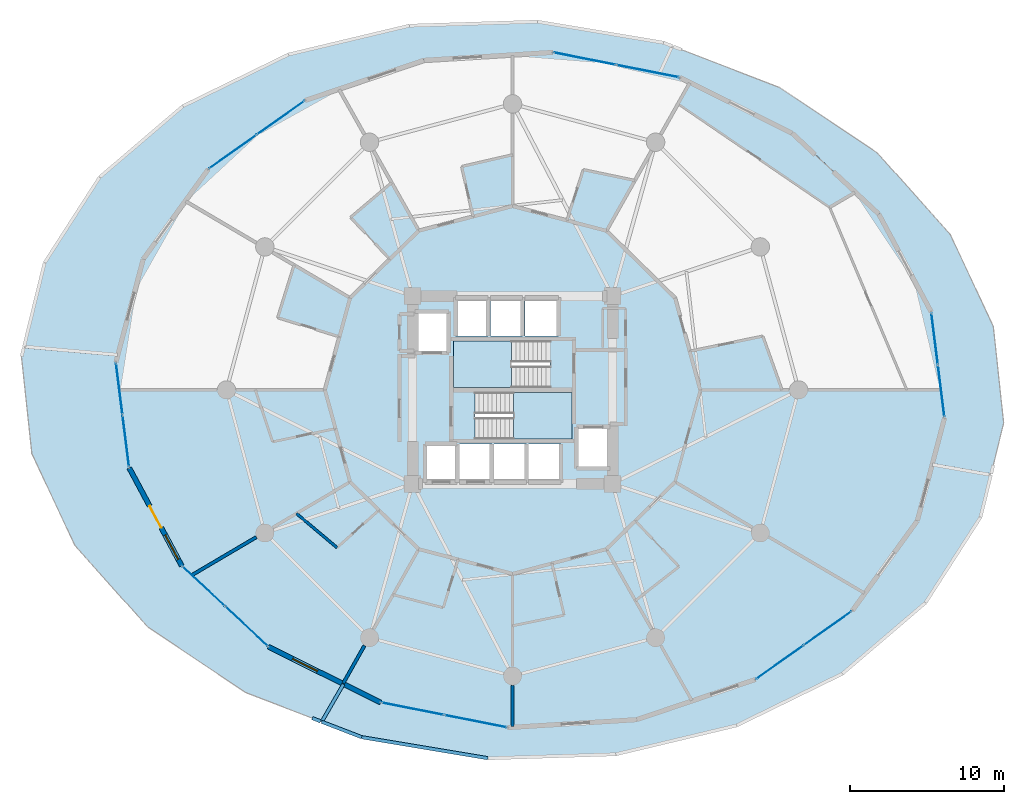
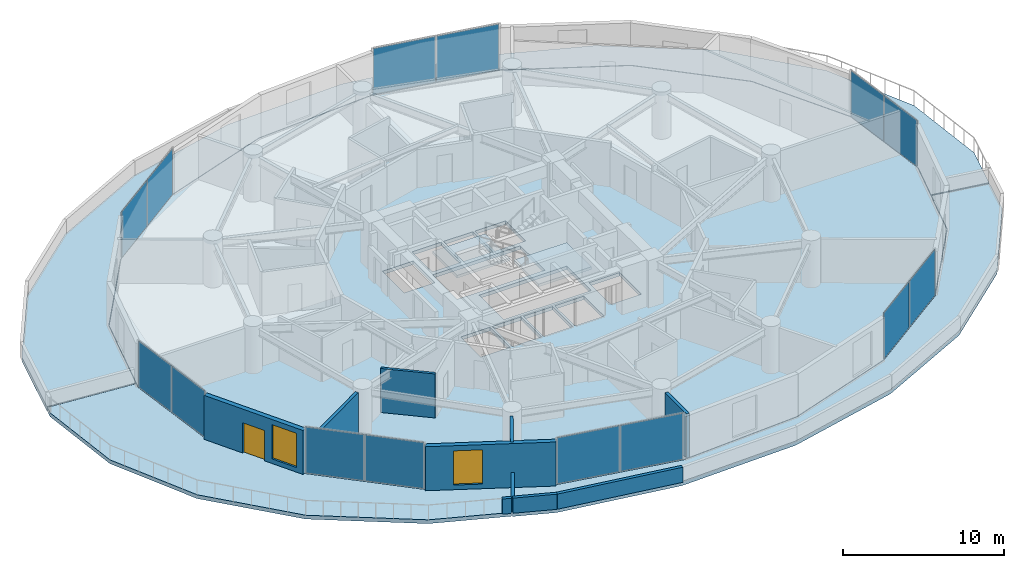
# One storey, part 17 of 25: 14 plates, 10 walls, 7 slabs, 2 windows, 1 door, 3 openings, 9 elements without a shape of their own.
"""IFC4 building model written with IfcOpenShell, lengths in metres."""

import ifcopenshell
import ifcopenshell.guid

model = None  # the IFC model being written
_history = None  # IfcOwnerHistory: only IFC2X3 demands one
_inside = {}  # id of a spatial element -> (the spatial element, [elements in it])
_under = {}  # id of a project, library or spatial element -> (it, [spatial elements below it])
_declared = {}  # id of a project -> (the project, [libraries it declares])
_typed = {}  # id of a type object -> (the type object, [elements of that type])
_made_of = {}  # id of a material, layer set ... -> (it, [elements and type objects made of it])


def new_model(schema):
    """Start an empty IFC model of exactly this schema.

    Asked for "IFC4X3", IfcOpenShell would pick the latest addendum, in which some entities
    have other attributes; the version numbers below select the first issue.
    IFC2X3 requires an IfcOwnerHistory on every rooted entity: one is made here for all.
    """
    global model, _history
    if schema == "IFC4X3":
        model = ifcopenshell.file(schema_version=(4, 3, 0, 0))
    else:
        model = ifcopenshell.file(schema=schema)
    _inside.clear()
    _under.clear()
    _declared.clear()
    _typed.clear()
    _made_of.clear()
    _history = None
    if model.schema == "IFC2X3":
        org = make("IfcOrganization", Name="unknown")
        user = make(
            "IfcPersonAndOrganization",
            ThePerson=make("IfcPerson", FamilyName="unknown"),
            TheOrganization=org,
        )
        app = make(
            "IfcApplication",
            ApplicationDeveloper=org,
            Version="unknown",
            ApplicationFullName="unknown",
            ApplicationIdentifier="unknown",
        )
        _history = make(
            "IfcOwnerHistory",
            OwningUser=user,
            OwningApplication=app,
            ChangeAction="ADDED",
            CreationDate=0,
        )
    return model


def make(cls, **values):
    """One entity of the class cls with the attributes given. An attribute that is None is left unset."""
    return model.create_entity(
        cls, **{name: value for name, value in values.items() if value is not None}
    )


def rooted(cls, **values):
    """An entity with a GlobalId (a new one), such as an element, a storey or a relation."""
    return make(cls, GlobalId=ifcopenshell.guid.new(), OwnerHistory=_history, **values)


def si_unit(unit_type, name, prefix=None):
    """IfcSIUnit, for example si_unit("LENGTHUNIT", "METRE", prefix="MILLI")."""
    return make("IfcSIUnit", UnitType=unit_type, Prefix=prefix, Name=name)


def assignment(units):
    """IfcUnitAssignment: the units of a project."""
    return None if units is None else make("IfcUnitAssignment", Units=units)


def point(xyz):
    """IfcCartesianPoint."""
    return None if xyz is None else make("IfcCartesianPoint", Coordinates=xyz)


def direction(xyz):
    """IfcDirection."""
    return None if xyz is None else make("IfcDirection", DirectionRatios=xyz)


def frame(location, z_axis=None, x_axis=None):
    """IfcAxis2Placement3D, a coordinate frame: its origin and axes. An axis left out is left unset."""
    return make(
        "IfcAxis2Placement3D",
        Location=point(location),
        Axis=direction(z_axis),
        RefDirection=direction(x_axis),
    )


def frame_2d(location, x_axis=None):
    """IfcAxis2Placement2D, a coordinate frame in the plane: its origin and x axis."""
    return make(
        "IfcAxis2Placement2D", Location=point(location), RefDirection=direction(x_axis)
    )


def origin():
    """The frame at (0, 0, 0) with its axes left unset."""
    return frame((0.0, 0.0, 0.0))


def origin_2d():
    """The frame at (0, 0) in the plane with its x axis left unset."""
    return frame_2d((0.0, 0.0))


def place(relative_to, where):
    """IfcLocalPlacement: puts the frame where relative to a parent placement (None: the world)."""
    return make(
        "IfcLocalPlacement", PlacementRelTo=relative_to, RelativePlacement=where
    )


def context(
    kind, dimensions, precision=None, world=None, true_north=None, identifier=None
):
    """IfcGeometricRepresentationContext, for example the 3D "Model" context."""
    return make(
        "IfcGeometricRepresentationContext",
        ContextIdentifier=identifier,
        ContextType=kind,
        CoordinateSpaceDimension=dimensions,
        Precision=precision,
        WorldCoordinateSystem=world,
        TrueNorth=true_north,
    )


def subcontext(parent, identifier, kind, view, scale=None):
    """IfcGeometricRepresentationSubContext, for example "Body" below "Model"."""
    return make(
        "IfcGeometricRepresentationSubContext",
        ContextIdentifier=identifier,
        ContextType=kind,
        ParentContext=parent,
        TargetScale=scale,
        TargetView=view,
    )


def project(units=None, contexts=None):
    """IfcProject with its units and contexts."""
    return rooted(
        "IfcProject",
        Name="project",
        RepresentationContexts=contexts,
        UnitsInContext=assignment(units),
    )


def spatial(cls, under=None, at=None, **own):
    """A site, building, storey or space (cls), placed at a placement, below another one or the project."""
    s = rooted(cls, ObjectPlacement=at, **own)
    if under is not None:
        _under.setdefault(under.id(), (under, []))[1].append(s)
    return s


def polyline(points):
    """IfcPolyline through the points."""
    return make("IfcPolyline", Points=[point(p) for p in points])


def profile(cls, at=None, kind="AREA", **sizes):
    """A parametric profile (cls). Its sizes go by their IFC names, for example OverallWidth=200.0."""
    return make(cls, ProfileType=kind, Position=at, **sizes)


def rectangle(**sizes):
    """IfcRectangleProfileDef."""
    return profile("IfcRectangleProfileDef", **sizes)


def outline(outer, holes=None, kind="AREA"):
    """IfcArbitraryClosedProfileDef: a profile drawn as a closed curve; with holes, ...WithVoids."""
    if holes is None:
        return make("IfcArbitraryClosedProfileDef", ProfileType=kind, OuterCurve=outer)
    return make(
        "IfcArbitraryProfileDefWithVoids",
        ProfileType=kind,
        OuterCurve=outer,
        InnerCurves=holes,
    )


def extrude(swept, where, along, depth):
    """IfcExtrudedAreaSolid: the profile swept, set in the frame where, extruded along a direction by depth."""
    return make(
        "IfcExtrudedAreaSolid",
        SweptArea=swept,
        Position=where,
        ExtrudedDirection=direction(along),
        Depth=depth,
    )


def shape(context_of_items, identifier, shape_type, items):
    """IfcShapeRepresentation: the items that make up one representation, for example the "Body"."""
    return make(
        "IfcShapeRepresentation",
        ContextOfItems=context_of_items,
        RepresentationIdentifier=identifier,
        RepresentationType=shape_type,
        Items=items,
    )


def source(mapping_origin, context_of_items, identifier, shape_type, items):
    """IfcRepresentationMap: a shape defined once, which mapped items show again and again."""
    return make(
        "IfcRepresentationMap",
        MappingOrigin=mapping_origin,
        MappedRepresentation=shape(context_of_items, identifier, shape_type, items),
    )


def transform(
    local_origin,
    x_axis=None,
    y_axis=None,
    z_axis=None,
    scale=None,
    scale2=None,
    scale3=None,
    uniform=True,
):
    """IfcCartesianTransformationOperator3D, or its non-uniform kind. x_axis, y_axis, z_axis: its Axis1, 2, 3."""
    if uniform:
        return make(
            "IfcCartesianTransformationOperator3D",
            Axis1=direction(x_axis),
            Axis2=direction(y_axis),
            LocalOrigin=point(local_origin),
            Scale=scale,
            Axis3=direction(z_axis),
        )
    return make(
        "IfcCartesianTransformationOperator3DnonUniform",
        Axis1=direction(x_axis),
        Axis2=direction(y_axis),
        LocalOrigin=point(local_origin),
        Scale=scale,
        Axis3=direction(z_axis),
        Scale2=scale2,
        Scale3=scale3,
    )


def mapped(mapping_source, mapping_target):
    """IfcMappedItem: shows the shape of a source again, moved by a transform."""
    return make(
        "IfcMappedItem", MappingSource=mapping_source, MappingTarget=mapping_target
    )


def material(Name=None, Category=None):
    """IfcMaterial."""
    return make("IfcMaterial", Name=Name, Category=Category)


def layer(
    of_material, thickness, ventilated=None, Name=None, Category=None, Priority=None
):
    """IfcMaterialLayer: one layer of a wall or slab, of a material (None: an air gap)."""
    return make(
        "IfcMaterialLayer",
        Material=of_material,
        LayerThickness=thickness,
        IsVentilated=ventilated,
        Name=Name,
        Category=Category,
        Priority=Priority,
    )


def layer_set(layers, Name=None):
    """IfcMaterialLayerSet."""
    return make("IfcMaterialLayerSet", MaterialLayers=layers, LayerSetName=Name)


def made_of(thing, what):
    """Note that an element or type object is made of a material, layer set ...; save() writes the relation."""
    if what is not None:
        _made_of.setdefault(what.id(), (what, []))[1].append(thing)
    return thing


def type_object(cls, material=None, **own):
    """A type object (cls), such as IfcWallType, which elements share."""
    return made_of(rooted(cls, **own), material)


def element(
    cls,
    number,
    at=None,
    inside=None,
    cuts=None,
    type_object=None,
    material=None,
    context=None,
    identifier="Body",
    shape_type=None,
    held_by="IfcProductDefinitionShape",
    body=None,
    shapes=None,
    **own,
):
    """One element of the class cls, such as IfcWall. Its Tag is "e" and its number.

    at: its placement. inside: the storey or other place that contains it. cuts: it is an
    opening in that element (IfcRelVoidsElement). A single representation is given by context,
    identifier, shape_type and body (its items); several are given by shapes. held_by: the class
    of the entity that holds the representations. save() writes the other relations.
    """
    e = rooted(cls, Tag="e%d" % number, ObjectPlacement=at, **own)
    if body is not None:
        shapes = [shape(context, identifier, shape_type, body)]
    if shapes is not None:
        e.Representation = make(held_by, Representations=shapes)
    if inside is not None:
        _inside.setdefault(inside.id(), (inside, []))[1].append(e)
    if cuts is not None:
        rooted(
            "IfcRelVoidsElement", RelatingBuildingElement=cuts, RelatedOpeningElement=e
        )
    if type_object is not None:
        _typed.setdefault(type_object.id(), (type_object, []))[1].append(e)
    return made_of(e, material)


def fill(opening, filler):
    """IfcRelFillsElement: the door or window that sits in an opening."""
    return rooted(
        "IfcRelFillsElement",
        RelatingOpeningElement=opening,
        RelatedBuildingElement=filler,
    )


def aggregate(whole, parts):
    """IfcRelAggregates: a whole, such as a stair, and the parts it consists of."""
    return rooted("IfcRelAggregates", RelatingObject=whole, RelatedObjects=parts)


def save(model, path):
    """Write the relations noted so far, then the file.

    IfcRelAggregates (storeys below a building ...), IfcRelContainedInSpatialStructure (elements
    in a storey), IfcRelDefinesByType, IfcRelAssociatesMaterial and IfcRelDeclares: one each for
    every whole, place, type object, material and project.
    """
    for whole, parts in _under.values():
        aggregate(whole, parts)
    for where, things in _inside.values():
        rooted(
            "IfcRelContainedInSpatialStructure",
            RelatedElements=things,
            RelatingStructure=where,
        )
    for kind, things in _typed.values():
        rooted("IfcRelDefinesByType", RelatedObjects=things, RelatingType=kind)
    for what, things in _made_of.values():
        rooted("IfcRelAssociatesMaterial", RelatedObjects=things, RelatingMaterial=what)
    for by, libraries in _declared.values():
        rooted("IfcRelDeclares", RelatingContext=by, RelatedDefinitions=libraries)
    model.write(path)


model = new_model("IFC4")

# Units and contexts
model_context = context("Model", 3, precision=1e-05, world=origin(), true_north=direction((0.0, 1.0)))
body_context = subcontext(model_context, "Body", "Model", "MODEL_VIEW")
ifc_project = project(units=[si_unit("LENGTHUNIT", "METRE"), si_unit("AREAUNIT", "SQUARE_METRE"), si_unit("VOLUMEUNIT", "CUBIC_METRE"), si_unit("PLANEANGLEUNIT", "RADIAN"), si_unit("MASSUNIT", "GRAM", prefix="KILO")], contexts=[model_context])

# Site, building, storey
site_placement = place(None, origin())
site = spatial("IfcSite", under=ifc_project, at=site_placement, CompositionType="ELEMENT")
building_placement = place(site_placement, origin())
building = spatial("IfcBuilding", under=site, at=building_placement, Name="Solvirekh Grand Hotel", CompositionType="ELEMENT")
storey_placement = place(building_placement, frame((0.0, 0.0, 28.39990234375)))
storey = spatial("IfcBuildingStorey", under=building, at=storey_placement, Name="L05", CompositionType="ELEMENT", Elevation=28.39990234375)

# Slabs
ifc_material_1 = material(Name="Concrete C50/60", Category="concrete")
ifc_layer_1 = layer(ifc_material_1, 0.2900390625)
ifc_layer_set_1 = layer_set([ifc_layer_1], Name="Concrete C50/60")
slab_type_1 = type_object("IfcSlabType", Name="ExtSetbackTerr_290", PredefinedType="FLOOR", material=ifc_layer_set_1)
slab_1_placement = place(storey_placement, frame((0.0, 0.0, -0.289794921875)))
element("IfcSlab", 1, at=slab_1_placement, inside=storey, type_object=slab_type_1, Name="L05 east podium roof terrace slab", PredefinedType="FLOOR", context=body_context, shape_type="SweptSolid", body=[
    extrude(outline(polyline([(10.4560546875, 22.3291015625), (9.64208984375, 20.5830078125), (10.885009765625, 20.3359375), (18.18798828125, 16.712890625), (23.824951171875, 11.451904296875), (27.24609375, 5.06689453125), (28.10888671875, -1.806884765625), (27.322998046875, -4.777099609375), (31.116943359375, -5.446044921875), (31.927978515625, -2.14306640625), (31.256103515625, 4.1279296875), (28.4541015625, 10.116943359375), (23.712890625, 15.4169921875), (17.35595703125, 19.666015625), (10.4560546875, 22.3291015625)])), origin(), (0.0, 0.0, 1.0), 0.289794921875),
])
slab_2_placement = place(storey_placement, frame((0.0, 0.0, -0.289794921875)))
element("IfcSlab", 2, at=slab_2_placement, inside=storey, type_object=slab_type_1, Name="L05 west podium roof terrace slab", PredefinedType="FLOOR", context=body_context, shape_type="SweptSolid", body=[
    extrude(outline(polyline([(-12.486083984375, -21.5458984375), (-11.073974609375, -19.10107421875), (-15.888916015625, -16.7119140625), (-21.52587890625, -11.449951171875), (-24.945068359375, -5.069091796875), (-25.80908203125, 1.805908203125), (-25.7041015625, 2.208984375), (-31.781005859375, 2.739990234375), (-31.927978515625, 2.14306640625), (-31.256103515625, -4.1279296875), (-28.4541015625, -10.116943359375), (-23.712890625, -15.4169921875), (-17.35595703125, -19.666015625), (-12.486083984375, -21.5458984375)])), origin(), (0.0, 0.0, 1.0), 0.289794921875),
])

# Stair, slab
ifc_material_2 = material(Name="Concrete C40/50", Category="concrete")
stair_type = type_object("IfcStairType", Name="Stair_Core_1450", PredefinedType="HALF_TURN_STAIR", material=ifc_material_2)
stair_1_placement = place(storey_placement, origin())
stair_1 = element("IfcStair", 3, at=stair_1_placement, inside=storey, type_object=stair_type, Name="L05 Enclosed exit stair ST-1", PredefinedType="HALF_TURN_STAIR")
ifc_layer_2 = layer(ifc_material_2, 0.199951171875)
ifc_layer_set_2 = layer_set([ifc_layer_2], Name="Concrete C40/50")
slab_type_2 = type_object("IfcSlabType", Name="Landing_Stair_200", PredefinedType="LANDING", material=ifc_layer_set_2)
slab_3_placement = place(storey_placement, frame((0.0, 0.0, 1.60009765625)))
slab_3 = element("IfcSlab", 4, at=slab_3_placement, type_object=slab_type_2, Name="ST-1 landing 1", PredefinedType="LANDING", context=body_context, shape_type="SweptSolid", body=[
    extrude(outline(polyline([(0.070068359375, -3.199951171875), (3.85009765625, -3.199951171875), (3.85009765625, -0.14990234375), (0.070068359375, -0.14990234375), (0.070068359375, -3.199951171875)])), origin(), (0.0, 0.0, 1.0), 0.199951171875),
])
aggregate(stair_1, [slab_3])

stair_2_placement = place(storey_placement, origin())
stair_2 = element("IfcStair", 5, at=stair_2_placement, inside=storey, type_object=stair_type, Name="L05 Enclosed exit stair ST-2", PredefinedType="HALF_TURN_STAIR")
slab_4_placement = place(storey_placement, frame((0.0, 0.0, 1.60009765625)))
slab_4 = element("IfcSlab", 6, at=slab_4_placement, type_object=slab_type_2, Name="ST-2 landing 1", PredefinedType="LANDING", context=body_context, shape_type="SweptSolid", body=[
    extrude(outline(polyline([(-0.070068359375, 3.199951171875), (-3.85009765625, 3.199951171875), (-3.85009765625, 0.14990234375), (-0.070068359375, 0.14990234375), (-0.070068359375, 3.199951171875)])), origin(), (0.0, 0.0, 1.0), 0.199951171875),
])
aggregate(stair_2, [slab_4])

# Slabs
ifc_layer_3 = layer(ifc_material_1, 0.320068359375)
ifc_layer_set_3 = layer_set([ifc_layer_3], Name="Concrete C50/60")
slab_type_3 = type_object("IfcSlabType", Name="RoofSlab_Podium_320", PredefinedType="ROOF", material=ifc_layer_set_3)
slab_5_placement = place(storey_placement, frame((0.0, 0.0, -0.31982421875)))
element("IfcSlab", 7, at=slab_5_placement, inside=storey, type_object=slab_type_3, Name="L05 north podium plant roof cap", PredefinedType="ROOF", context=body_context, shape_type="SweptSolid", body=[
    extrude(outline(polyline([(-31.761962890625, 2.819091796875), (-25.68310546875, 2.287109375), (-24.033935546875, 8.511962890625), (-19.7939453125, 14.376953125), (-13.5029296875, 18.837890625), (-5.77392578125, 21.455078125), (2.623046875, 21.970947265625), (9.56103515625, 20.59912109375), (10.381103515625, 22.35791015625), (9.81591796875, 22.575927734375), (1.60693359375, 23.946044921875), (-6.7109375, 23.68505859375), (-14.572021484375, 21.80908203125), (-21.43994140625, 18.447998046875), (-26.846923828125, 13.8291015625), (-30.424072265625, 8.26806640625), (-31.761962890625, 2.819091796875)])), origin(), (0.0, 0.0, 1.0), 0.31982421875),
])
slab_6_placement = place(storey_placement, frame((0.0, 0.0, -0.31982421875)))
element("IfcSlab", 8, at=slab_6_placement, inside=storey, type_object=slab_type_3, Name="L05 south podium plant roof cap", PredefinedType="ROOF", context=body_context, shape_type="SweptSolid", body=[
    extrude(outline(polyline([(30.424072265625, -8.26806640625), (31.097900390625, -5.52392578125), (27.302978515625, -4.85498046875), (26.3330078125, -8.512939453125), (22.093017578125, -14.3779296875), (15.799072265625, -18.840087890625), (8.075927734375, -21.455078125), (-0.322998046875, -21.970947265625), (-8.58203125, -20.3369140625), (-11.001953125, -19.136962890625), (-12.409912109375, -21.574951171875), (-9.81591796875, -22.575927734375), (-1.60693359375, -23.946044921875), (6.7109375, -23.68505859375), (14.572021484375, -21.80908203125), (21.43994140625, -18.447998046875), (26.846923828125, -13.8291015625), (30.424072265625, -8.26806640625)])), origin(), (0.0, 0.0, 1.0), 0.31982421875),
])
ifc_layer_4 = layer(ifc_material_1, 0.260009765625)
ifc_layer_set_4 = layer_set([ifc_layer_4], Name="Concrete C50/60")
slab_type_4 = type_object("IfcSlabType", Name="Slab_GuestZ1_260", PredefinedType="FLOOR", material=ifc_layer_set_4)
slab_7_placement = place(storey_placement, frame((0.0, 0.0, -0.260009765625)))
element("IfcSlab", 9, at=slab_7_placement, inside=storey, type_object=slab_type_4, Name="L05 structural floor slab", PredefinedType="FLOOR", context=body_context, shape_type="SweptSolid", body=[
    extrude(outline(polyline([(28.089111328125, -1.80810546875), (27.22607421875, 5.06298828125), (23.81005859375, 11.43896484375), (18.177001953125, 16.696044921875), (10.8759765625, 20.318115234375), (2.623046875, 21.950927734375), (-5.77294921875, 21.43505859375), (-13.492919921875, 18.821044921875), (-19.778076171875, 14.364990234375), (-24.01611328125, 8.5029296875), (-25.7890625, 1.80810546875), (-24.926025390625, -5.06298828125), (-21.510009765625, -11.43896484375), (-15.876953125, -16.696044921875), (-8.575927734375, -20.318115234375), (-0.322998046875, -21.950927734375), (8.072998046875, -21.43505859375), (15.79296875, -18.821044921875), (22.077880859375, -14.364990234375), (26.31591796875, -8.5029296875), (28.089111328125, -1.80810546875)]), holes=[polyline([(-2.444091796875, -0.14990234375), (3.85009765625, -0.14990234375), (3.85009765625, -3.199951171875), (-2.444091796875, -3.199951171875), (-2.444091796875, -0.14990234375)]), polyline([(2.444091796875, 0.14990234375), (-3.85009765625, 0.14990234375), (-3.85009765625, 3.199951171875), (2.444091796875, 3.199951171875), (2.444091796875, 0.14990234375)]), polyline([(-5.699951171875, -3.5), (-3.60009765625, -3.5), (-3.60009765625, -6.0), (-5.699951171875, -6.0), (-5.699951171875, -3.5)]), polyline([(-3.449951171875, -3.5), (-1.35009765625, -3.5), (-1.35009765625, -6.0), (-3.449951171875, -6.0), (-3.449951171875, -3.5)]), polyline([(-1.199951171875, -3.5), (0.89990234375, -3.5), (0.89990234375, -6.0), (-1.199951171875, -6.0), (-1.199951171875, -3.5)]), polyline([(1.050048828125, -3.5), (3.14990234375, -3.5), (3.14990234375, -6.0), (1.050048828125, -6.0), (1.050048828125, -3.5)]), polyline([(-3.699951171875, 6.0), (-1.60009765625, 6.0), (-1.60009765625, 3.5), (-3.699951171875, 3.5), (-3.699951171875, 6.0)]), polyline([(-1.449951171875, 6.0), (0.64990234375, 6.0), (0.64990234375, 3.5), (-1.449951171875, 3.5), (-1.449951171875, 6.0)]), polyline([(0.800048828125, 6.0), (3.0, 6.0), (3.0, 3.5), (0.800048828125, 3.5), (0.800048828125, 6.0)]), polyline([(-6.35009765625, 5.10009765625), (-4.14990234375, 5.10009765625), (-4.14990234375, 2.39990234375), (-6.35009765625, 2.39990234375), (-6.35009765625, 5.10009765625)]), polyline([(4.14990234375, -2.39990234375), (6.35009765625, -2.39990234375), (6.35009765625, -5.10009765625), (4.14990234375, -5.10009765625), (4.14990234375, -2.39990234375)])]), origin(), (0.0, 0.0, 1.0), 0.260009765625),
])

# Curtain wall, plates
ifc_material_3 = material(Name="Anodized Bronze Aluminium 6063-T6", Category="aluminium")
ifc_layer_5 = layer(ifc_material_3, 0.18994140625)
ifc_layer_set_5 = layer_set([ifc_layer_5], Name="Anodized Bronze Aluminium 6063-T6")
curtain_wall_type = type_object("IfcCurtainWallType", Name="CW_Sys2_LowZoneFlushBronzeCW", PredefinedType="NOTDEFINED", material=ifc_layer_set_5)
curtain_wall_1_placement = place(storey_placement, origin())
curtain_wall_1 = element("IfcCurtainWall", 10, at=curtain_wall_1_placement, inside=storey, type_object=curtain_wall_type, Name="L05 unitised bronze-glass curtain wall CW-L05-C01", PredefinedType="NOTDEFINED")
ifc_material_4 = material(Name="Low-E Tinted Bronze Laminated Glass", Category="aluminium")
ifc_layer_6 = layer(ifc_material_4, 0.0380859375)
ifc_layer_set_6 = layer_set([ifc_layer_6], Name="Low-E Tinted Bronze Laminated Glass")
plate_type = type_object("IfcPlateType", Name="CWPanel_Low_38", PredefinedType="CURTAIN_PANEL", material=ifc_layer_set_6)
shared_shape_1 = source(origin(), body_context, "Body", "SweptSolid", [
    extrude(rectangle(XDim=3.357421875, YDim=0.0380859375, at=origin_2d()), origin(), (0.0, 0.0, 1.0), 3.47998046875),
])
plate_1_placement = place(storey_placement, frame((27.87109375, -0.072998046875, 0.06005859375), z_axis=(0.0, 0.0, 1.0), x_axis=(-0.124621217979, 0.992204390249, 0.0)))
plate_1 = element("IfcPlate", 11, at=plate_1_placement, type_object=plate_type, Name="U02 panel 1.1", PredefinedType="CURTAIN_PANEL", context=body_context, shape_type="MappedRepresentation", body=[
    mapped(shared_shape_1, transform((0.0, 0.0, 0.0), x_axis=(1.0, 0.0, 0.0), y_axis=(0.0, 1.0, 0.0), z_axis=(0.0, 0.0, 1.0), scale=1.0)),
])
plate_2_placement = place(storey_placement, frame((27.44384765625, 3.327880859375, 0.06005859375), z_axis=(0.0, 0.0, 1.0), x_axis=(-0.124621217979, 0.992204390249, 0.0)))
plate_2 = element("IfcPlate", 12, at=plate_2_placement, type_object=plate_type, Name="U02 panel 2.1", PredefinedType="CURTAIN_PANEL", context=body_context, shape_type="MappedRepresentation", body=[
    mapped(shared_shape_1, transform((0.0, 0.0, 0.0), x_axis=(1.0, 0.0, 0.0), y_axis=(0.0, 1.0, 0.0), z_axis=(0.0, 0.0, 1.0), scale=1.0)),
])
aggregate(curtain_wall_1, [plate_1, plate_2])

curtain_wall_2_placement = place(storey_placement, origin())
curtain_wall_2 = element("IfcCurtainWall", 13, at=curtain_wall_2_placement, inside=storey, type_object=curtain_wall_type, Name="L05 unitised bronze-glass curtain wall CW-L05-C11", PredefinedType="NOTDEFINED")
plate_3_placement = place(storey_placement, frame((-25.571044921875, 0.072998046875, 0.06005859375), z_axis=(0.0, 0.0, 1.0), x_axis=(0.124621217979, -0.992204390249, 0.0)))
plate_3 = element("IfcPlate", 14, at=plate_3_placement, type_object=plate_type, Name="U02 panel 1.1", PredefinedType="CURTAIN_PANEL", context=body_context, shape_type="MappedRepresentation", body=[
    mapped(shared_shape_1, transform((0.0, 0.0, 0.0), x_axis=(1.0, 0.0, 0.0), y_axis=(0.0, 1.0, 0.0), z_axis=(0.0, 0.0, 1.0), scale=1.0)),
])
plate_4_placement = place(storey_placement, frame((-25.14404296875, -3.327880859375, 0.06005859375), z_axis=(0.0, 0.0, 1.0), x_axis=(0.124621217979, -0.992204390249, 0.0)))
plate_4 = element("IfcPlate", 15, at=plate_4_placement, type_object=plate_type, Name="U02 panel 2.1", PredefinedType="CURTAIN_PANEL", context=body_context, shape_type="MappedRepresentation", body=[
    mapped(shared_shape_1, transform((0.0, 0.0, 0.0), x_axis=(1.0, 0.0, 0.0), y_axis=(0.0, 1.0, 0.0), z_axis=(0.0, 0.0, 1.0), scale=1.0)),
])
aggregate(curtain_wall_2, [plate_3, plate_4])

curtain_wall_3_placement = place(storey_placement, origin())
curtain_wall_3 = element("IfcCurtainWall", 16, at=curtain_wall_3_placement, inside=storey, type_object=curtain_wall_type, Name="L05 unitised bronze-glass curtain wall CW-L05-C05", PredefinedType="NOTDEFINED")
shared_shape_2 = source(origin(), body_context, "Body", "SweptSolid", [
    extrude(rectangle(XDim=4.1015625, YDim=0.0380859375, at=origin_2d()), origin(), (0.0, 0.0, 1.0), 3.47998046875),
])
plate_5_placement = place(storey_placement, frame((8.795654296875, 20.729736328125, 0.06005859375), z_axis=(0.0, 0.0, 1.0), x_axis=(-0.9809809199, 0.194104185406, 0.0)))
plate_5 = element("IfcPlate", 17, at=plate_5_placement, type_object=plate_type, Name="U02 panel 1.1", PredefinedType="CURTAIN_PANEL", context=body_context, shape_type="MappedRepresentation", body=[
    mapped(shared_shape_2, transform((0.0, 0.0, 0.0), x_axis=(1.0, 0.0, 0.0), y_axis=(0.0, 1.0, 0.0), z_axis=(0.0, 0.0, 1.0), scale=1.0)),
])
plate_6_placement = place(storey_placement, frame((4.703369140625, 21.539306640625, 0.06005859375), z_axis=(0.0, 0.0, 1.0), x_axis=(-0.9809809199, 0.194104185406, 0.0)))
plate_6 = element("IfcPlate", 18, at=plate_6_placement, type_object=plate_type, Name="U02 panel 2.1", PredefinedType="CURTAIN_PANEL", context=body_context, shape_type="MappedRepresentation", body=[
    mapped(shared_shape_2, transform((0.0, 0.0, 0.0), x_axis=(1.0, 0.0, 0.0), y_axis=(0.0, 1.0, 0.0), z_axis=(0.0, 0.0, 1.0), scale=1.0)),
])
aggregate(curtain_wall_3, [plate_5, plate_6])

curtain_wall_4_placement = place(storey_placement, origin())
curtain_wall_4 = element("IfcCurtainWall", 19, at=curtain_wall_4_placement, inside=storey, type_object=curtain_wall_type, Name="L05 unitised bronze-glass curtain wall CW-L05-C15", PredefinedType="NOTDEFINED")
plate_7_placement = place(storey_placement, frame((-6.49560546875, -20.729736328125, 0.06005859375), z_axis=(0.0, 0.0, 1.0), x_axis=(0.9809809199, -0.194104185406, 0.0)))
plate_7 = element("IfcPlate", 20, at=plate_7_placement, type_object=plate_type, Name="U02 panel 1.1", PredefinedType="CURTAIN_PANEL", context=body_context, shape_type="MappedRepresentation", body=[
    mapped(shared_shape_2, transform((0.0, 0.0, 0.0), x_axis=(1.0, 0.0, 0.0), y_axis=(0.0, 1.0, 0.0), z_axis=(0.0, 0.0, 1.0), scale=1.0)),
])
plate_8_placement = place(storey_placement, frame((-2.4033203125, -21.539306640625, 0.06005859375), z_axis=(0.0, 0.0, 1.0), x_axis=(0.9809809199, -0.194104185406, 0.0)))
plate_8 = element("IfcPlate", 21, at=plate_8_placement, type_object=plate_type, Name="U02 panel 2.1", PredefinedType="CURTAIN_PANEL", context=body_context, shape_type="MappedRepresentation", body=[
    mapped(shared_shape_2, transform((0.0, 0.0, 0.0), x_axis=(1.0, 0.0, 0.0), y_axis=(0.0, 1.0, 0.0), z_axis=(0.0, 0.0, 1.0), scale=1.0)),
])
aggregate(curtain_wall_4, [plate_7, plate_8])

curtain_wall_5_placement = place(storey_placement, origin())
curtain_wall_5 = element("IfcCurtainWall", 22, at=curtain_wall_5_placement, inside=storey, type_object=curtain_wall_type, Name="L05 unitised bronze-glass curtain wall CW-L05-C08", PredefinedType="NOTDEFINED")
shared_shape_3 = source(origin(), body_context, "Body", "SweptSolid", [
    extrude(rectangle(XDim=3.7470703125, YDim=0.0380859375, at=origin_2d()), origin(), (0.0, 0.0, 1.0), 3.47998046875),
])
plate_9_placement = place(storey_placement, frame((-15.07861328125, 17.69677734375, 0.06005859375), z_axis=(0.0, 0.0, 1.0), x_axis=(-0.815771862482, -0.578373813708, 0.0)))
plate_9 = element("IfcPlate", 23, at=plate_9_placement, type_object=plate_type, Name="U02 panel 1.1", PredefinedType="CURTAIN_PANEL", context=body_context, shape_type="MappedRepresentation", body=[
    mapped(shared_shape_3, transform((0.0, 0.0, 0.0), x_axis=(1.0, 0.0, 0.0), y_axis=(0.0, 1.0, 0.0), z_axis=(0.0, 0.0, 1.0), scale=1.0)),
])
plate_10_placement = place(storey_placement, frame((-18.1923828125, 15.489013671875, 0.06005859375), z_axis=(0.0, 0.0, 1.0), x_axis=(-0.815771862482, -0.578373813708, 0.0)))
plate_10 = element("IfcPlate", 24, at=plate_10_placement, type_object=plate_type, Name="U02 panel 2.1", PredefinedType="CURTAIN_PANEL", context=body_context, shape_type="MappedRepresentation", body=[
    mapped(shared_shape_3, transform((0.0, 0.0, 0.0), x_axis=(1.0, 0.0, 0.0), y_axis=(0.0, 1.0, 0.0), z_axis=(0.0, 0.0, 1.0), scale=1.0)),
])
aggregate(curtain_wall_5, [plate_9, plate_10])

curtain_wall_6_placement = place(storey_placement, origin())
curtain_wall_6 = element("IfcCurtainWall", 25, at=curtain_wall_6_placement, inside=storey, type_object=curtain_wall_type, Name="L05 unitised bronze-glass curtain wall CW-L05-C18", PredefinedType="NOTDEFINED")
plate_11_placement = place(storey_placement, frame((17.37841796875, -17.69677734375, 0.06005859375), z_axis=(0.0, 0.0, 1.0), x_axis=(0.815771862482, 0.578373813708, 0.0)))
plate_11 = element("IfcPlate", 26, at=plate_11_placement, type_object=plate_type, Name="U02 panel 1.1", PredefinedType="CURTAIN_PANEL", context=body_context, shape_type="MappedRepresentation", body=[
    mapped(shared_shape_3, transform((0.0, 0.0, 0.0), x_axis=(1.0, 0.0, 0.0), y_axis=(0.0, 1.0, 0.0), z_axis=(0.0, 0.0, 1.0), scale=1.0)),
])
plate_12_placement = place(storey_placement, frame((20.492431640625, -15.489013671875, 0.06005859375), z_axis=(0.0, 0.0, 1.0), x_axis=(0.815771862482, 0.578373813708, 0.0)))
plate_12 = element("IfcPlate", 27, at=plate_12_placement, type_object=plate_type, Name="U02 panel 2.1", PredefinedType="CURTAIN_PANEL", context=body_context, shape_type="MappedRepresentation", body=[
    mapped(shared_shape_3, transform((0.0, 0.0, 0.0), x_axis=(1.0, 0.0, 0.0), y_axis=(0.0, 1.0, 0.0), z_axis=(0.0, 0.0, 1.0), scale=1.0)),
])
aggregate(curtain_wall_6, [plate_11, plate_12])

curtain_wall_7_placement = place(storey_placement, origin())
curtain_wall_7 = element("IfcCurtainWall", 28, at=curtain_wall_7_placement, inside=storey, type_object=curtain_wall_type, Name="L05 unitised bronze-glass curtain wall CW-L05-C13", PredefinedType="NOTDEFINED")
shared_shape_4 = source(origin(), body_context, "Body", "SweptSolid", [
    extrude(rectangle(XDim=3.74755859375, YDim=0.0380859375, at=origin_2d()), origin(), (0.0, 0.0, 1.0), 3.47998046875),
])
plate_13_placement = place(storey_placement, frame((-20.0888671875, -12.76513671875, 0.06005859375), z_axis=(0.0, 0.0, 1.0), x_axis=(0.73108547903, -0.682285880223, 0.0)))
plate_13 = element("IfcPlate", 29, at=plate_13_placement, type_object=plate_type, Name="U02 panel 1.1", PredefinedType="CURTAIN_PANEL", context=body_context, shape_type="MappedRepresentation", body=[
    mapped(shared_shape_4, transform((0.0, 0.0, 0.0), x_axis=(1.0, 0.0, 0.0), y_axis=(0.0, 1.0, 0.0), z_axis=(0.0, 0.0, 1.0), scale=1.0)),
])
plate_14_placement = place(storey_placement, frame((-17.298095703125, -15.369873046875, 0.06005859375), z_axis=(0.0, 0.0, 1.0), x_axis=(0.73108547903, -0.682285880223, 0.0)))
plate_14 = element("IfcPlate", 30, at=plate_14_placement, type_object=plate_type, Name="U02 panel 2.1", PredefinedType="CURTAIN_PANEL", context=body_context, shape_type="MappedRepresentation", body=[
    mapped(shared_shape_4, transform((0.0, 0.0, 0.0), x_axis=(1.0, 0.0, 0.0), y_axis=(0.0, 1.0, 0.0), z_axis=(0.0, 0.0, 1.0), scale=1.0)),
])
aggregate(curtain_wall_7, [plate_13, plate_14])

# Wall, openings, door, window
ifc_material_5 = material(Name="Precast concrete C45/55", Category="concrete")
ifc_layer_7 = layer(ifc_material_5, 0.320068359375)
ifc_layer_set_7 = layer_set([ifc_layer_7], Name="Precast concrete C45/55")
wall_type_1 = type_object("IfcWallType", Name="ExtLobbyWall_RC320", PredefinedType="SOLIDWALL", material=ifc_layer_set_7)
wall_1_placement = place(storey_placement, frame((-21.510009765625, -11.43896484375, 0.0), z_axis=(0.0, 0.0, 1.0), x_axis=(-0.472255130515, 0.881461905985, 0.0)))
wall_1 = element("IfcWall", 31, at=wall_1_placement, inside=storey, type_object=wall_type_1, Name="L05 exterior structural wall chord 12", PredefinedType="SOLIDWALL", context=body_context, shape_type="SweptSolid", body=[
    extrude(rectangle(XDim=7.2333984375, YDim=0.320068359375, at=frame_2d((3.61669921875, 0.0))), origin(), (0.0, 0.0, 1.0), 3.340087890625),
])
opening_1_placement = place(wall_1_placement, frame((0.48291015625, 0.0, 0.35009765625)))
opening_1 = element("IfcOpeningElement", 32, at=opening_1_placement, cuts=wall_1, Name="Opening W02", PredefinedType="OPENING", context=body_context, shape_type="SweptSolid", body=[
    extrude(rectangle(XDim=1.800048828125, YDim=2.60009765625, at=frame_2d((0.89990234375, 1.300048828125))), frame((0.0, 0.169921875, 0.0), z_axis=(0.0, -1.0, 0.0), x_axis=(1.0, 0.0, 0.0)), (0.0, 0.0, 1.0), 0.340087890625),
])
opening_2_placement = place(wall_1_placement, frame((2.81689453125, 0.0, 0.0)))
opening_2 = element("IfcOpeningElement", 33, at=opening_2_placement, cuts=wall_1, Name="Opening D04", PredefinedType="OPENING", context=body_context, shape_type="SweptSolid", body=[
    extrude(rectangle(XDim=1.60009765625, YDim=2.300048828125, at=frame_2d((0.800048828125, 1.14990234375))), frame((0.0, 0.169921875, 0.0), z_axis=(0.0, -1.0, 0.0), x_axis=(1.0, 0.0, 0.0)), (0.0, 0.0, 1.0), 0.340087890625),
])
door_type = type_object("IfcDoorType", Name="Door_ExtTerrace_1600X2300", OperationType="NOTDEFINED", PredefinedType="DOOR", material=ifc_material_3)
door_placement = place(opening_2_placement, origin())
door = element("IfcDoor", 34, at=door_placement, inside=storey, type_object=door_type, Name="L05 Podium roof terrace west exit door (12)", OperationType="SINGLE_SWING_LEFT", OverallHeight=2.300048828125, OverallWidth=1.60009765625, PredefinedType="DOOR", context=body_context, shape_type="SweptSolid", body=[
    extrude(rectangle(XDim=1.60009765625, YDim=2.300048828125, at=frame_2d((0.800048828125, 1.14990234375))), frame((0.0, 0.02490234375, 0.0), z_axis=(0.0, -1.0, 0.0), x_axis=(1.0, 0.0, 0.0)), (0.0, 0.0, 1.0), 0.050048828125),
])
fill(opening_2, door)
window_type = type_object("IfcWindowType", Name="Win_LobbyExt_1800X2600", PartitioningType="SINGLE_PANEL", PredefinedType="WINDOW", material=ifc_material_4)
window_1_placement = place(opening_1_placement, origin())
window_1 = element("IfcWindow", 35, at=window_1_placement, inside=storey, type_object=window_type, Name="L05 exterior side window 12", OverallHeight=2.60009765625, OverallWidth=1.800048828125, PartitioningType="SINGLE_PANEL", PredefinedType="WINDOW", context=body_context, shape_type="SweptSolid", body=[
    extrude(rectangle(XDim=1.800048828125, YDim=2.60009765625, at=frame_2d((0.89990234375, 1.300048828125))), frame((0.0, 0.030029296875, 0.0), z_axis=(0.0, -1.0, 0.0), x_axis=(1.0, 0.0, 0.0)), (0.0, 0.0, 1.0), 0.06005859375),
])
fill(opening_1, window_1)

# Wall, opening, window
wall_2_placement = place(storey_placement, frame((-8.575927734375, -20.318115234375, 0.0), z_axis=(0.0, 0.0, 1.0), x_axis=(-0.895818759339, 0.444419565743, 0.0)))
wall_2 = element("IfcWall", 36, at=wall_2_placement, inside=storey, type_object=wall_type_1, Name="L05 exterior structural wall chord 14", PredefinedType="SOLIDWALL", context=body_context, shape_type="SweptSolid", body=[
    extrude(rectangle(XDim=8.150146484375, YDim=0.320068359375, at=frame_2d((4.0751953125, 0.0))), origin(), (0.0, 0.0, 1.0), 3.340087890625),
])
opening_3_placement = place(wall_2_placement, frame((4.592041015625, 0.0, 0.35009765625)))
opening_3 = element("IfcOpeningElement", 37, at=opening_3_placement, cuts=wall_2, Name="Opening W02", PredefinedType="OPENING", context=body_context, shape_type="SweptSolid", body=[
    extrude(rectangle(XDim=1.800048828125, YDim=2.60009765625, at=frame_2d((0.89990234375, 1.300048828125))), frame((0.0, 0.169921875, 0.0), z_axis=(0.0, -1.0, 0.0), x_axis=(1.0, 0.0, 0.0)), (0.0, 0.0, 1.0), 0.340087890625),
])
window_2_placement = place(opening_3_placement, origin())
window_2 = element("IfcWindow", 38, at=window_2_placement, inside=storey, type_object=window_type, Name="L05 panoramic bronze-framed window 14", OverallHeight=2.60009765625, OverallWidth=1.800048828125, PartitioningType="SINGLE_PANEL", PredefinedType="WINDOW", context=body_context, shape_type="SweptSolid", body=[
    extrude(rectangle(XDim=1.800048828125, YDim=2.60009765625, at=frame_2d((0.89990234375, 1.300048828125))), frame((0.0, 0.030029296875, 0.0), z_axis=(0.0, -1.0, 0.0), x_axis=(1.0, 0.0, 0.0)), (0.0, 0.0, 1.0), 0.06005859375),
])
fill(opening_3, window_2)

# Walls
ifc_layer_8 = layer(ifc_material_5, 0.219970703125)
ifc_layer_set_8 = layer_set([ifc_layer_8], Name="Precast concrete C45/55")
wall_type_2 = type_object("IfcWallType", Name="ExtParapet_RC220", PredefinedType="PARAPET", material=ifc_layer_set_8)
wall_3_placement = place(storey_placement, frame((-13.027099609375, -21.3369140625, 0.0), z_axis=(0.0, 0.0, 1.0), x_axis=(0.932823861969, -0.360332683143, 0.0)))
element("IfcWall", 39, at=wall_3_placement, inside=storey, type_object=wall_type_2, Name="L05 west terrace movement-joint end pier 1B", PredefinedType="PARAPET", context=body_context, shape_type="SweptSolid", body=[
    extrude(rectangle(XDim=0.580078125, YDim=0.219970703125, at=frame_2d((0.2900390625, 0.0))), origin(), (0.0, 0.0, 1.0), 1.150146484375),
])
wall_4_placement = place(storey_placement, frame((-11.001953125, -19.136962890625, 0.0), z_axis=(0.0, 0.0, 1.0), x_axis=(-0.500102771102, -0.86596606073, 0.0)))
element("IfcWall", 40, at=wall_4_placement, inside=storey, type_object=wall_type_2, Name="L05 south podium roof upstand parapet 1", PredefinedType="PARAPET", context=body_context, shape_type="SweptSolid", body=[
    extrude(rectangle(XDim=2.8154296875, YDim=0.219970703125, at=frame_2d((1.40771484375, 0.0))), origin(), (0.0, 0.0, 1.0), 1.150146484375),
])
wall_5_placement = place(storey_placement, frame((-12.409912109375, -21.574951171875, 0.0), z_axis=(0.0, 0.0, 1.0), x_axis=(0.932949001639, -0.360008555927, 0.0)))
element("IfcWall", 41, at=wall_5_placement, inside=storey, type_object=wall_type_2, Name="L05 south podium roof upstand parapet 2", PredefinedType="PARAPET", context=body_context, shape_type="SweptSolid", body=[
    extrude(rectangle(XDim=2.780517578125, YDim=0.219970703125, at=frame_2d((1.39013671875, 0.0))), origin(), (0.0, 0.0, 1.0), 1.150146484375),
])
wall_6_placement = place(storey_placement, frame((-9.81591796875, -22.575927734375, 0.0), z_axis=(0.0, 0.0, 1.0), x_axis=(0.98635584135, -0.164627319226, 0.0)))
element("IfcWall", 42, at=wall_6_placement, inside=storey, type_object=wall_type_2, Name="L05 south podium roof upstand parapet 3", PredefinedType="PARAPET", context=body_context, shape_type="SweptSolid", body=[
    extrude(rectangle(XDim=8.322509765625, YDim=0.219970703125, at=frame_2d((4.1611328125, 0.0))), origin(), (0.0, 0.0, 1.0), 1.150146484375),
])
ifc_material_6 = material(Name="Acoustic Gypsum Partition Assembly")
ifc_layer_9 = layer(ifc_material_6, 0.2099609375)
ifc_layer_set_9 = layer_set([ifc_layer_9], Name="Acoustic Gypsum Partition Assembly")
wall_type_3 = type_object("IfcWallType", Name="Part_SuiteDemise_210", PredefinedType="PARTITIONING", material=ifc_layer_set_9)
wall_7_placement = place(storey_placement, frame((-16.666015625, -9.571044921875, 0.0), z_axis=(0.0, 0.0, 1.0), x_axis=(-0.861454358035, -0.50783500177, 0.0)))
element("IfcWall", 43, at=wall_7_placement, inside=storey, type_object=wall_type_3, Name="L05 suite radial wall 8 (B)", PredefinedType="PARTITIONING", context=body_context, shape_type="SweptSolid", body=[
    extrude(rectangle(XDim=4.830078125, YDim=0.2099609375, at=frame_2d((2.4150390625, 0.0))), origin(), (0.0, 0.0, 1.0), 3.340087890625),
])
wall_8_placement = place(storey_placement, frame((-9.635986328125, -16.62890625, 0.0), z_axis=(0.0, 0.0, 1.0), x_axis=(-0.490451821351, -0.871468307475, 0.0)))
element("IfcWall", 44, at=wall_8_placement, inside=storey, type_object=wall_type_3, Name="L05 suite radial wall 9 (B)", PredefinedType="PARTITIONING", context=body_context, shape_type="SweptSolid", body=[
    extrude(rectangle(XDim=2.797607421875, YDim=0.2099609375, at=frame_2d((1.39892578125, 0.0))), origin(), (0.0, 0.0, 1.0), 3.340087890625),
])
wall_9_placement = place(storey_placement, frame((0.0, -19.219970703125, 0.0), z_axis=(0.0, 0.0, 1.0), x_axis=(0.0, -1.0, 0.0)))
element("IfcWall", 45, at=wall_9_placement, inside=storey, type_object=wall_type_3, Name="L05 suite radial wall 10 (B)", PredefinedType="PARTITIONING", context=body_context, shape_type="SweptSolid", body=[
    extrude(rectangle(XDim=2.671142578125, YDim=0.2099609375, at=frame_2d((1.33544921875, 0.0))), origin(), (0.0, 0.0, 1.0), 3.340087890625),
])
ifc_layer_10 = layer(ifc_material_6, 0.175048828125)
ifc_layer_set_10 = layer_set([ifc_layer_10], Name="Acoustic Gypsum Partition Assembly")
wall_type_4 = type_object("IfcWallType", Name="Plumb_Ensuite_175", PredefinedType="PLUMBINGWALL", material=ifc_layer_set_10)
wall_10_placement = place(storey_placement, frame((-14.054931640625, -8.031982421875, 0.0), z_axis=(0.0, 0.0, 1.0), x_axis=(0.765749489357, -0.643138958196, 0.0)))
element("IfcWall", 46, at=wall_10_placement, inside=storey, type_object=wall_type_4, Name="L05 En-suite Bathroom 0707 outer plumbing wall", PredefinedType="PLUMBINGWALL", context=body_context, shape_type="SweptSolid", body=[
    extrude(rectangle(XDim=3.44873046875, YDim=0.175048828125, at=frame_2d((1.724365234375, 0.0))), origin(), (0.0, 0.0, 1.0), 3.340087890625),
])

save(model, "model.ifc")
